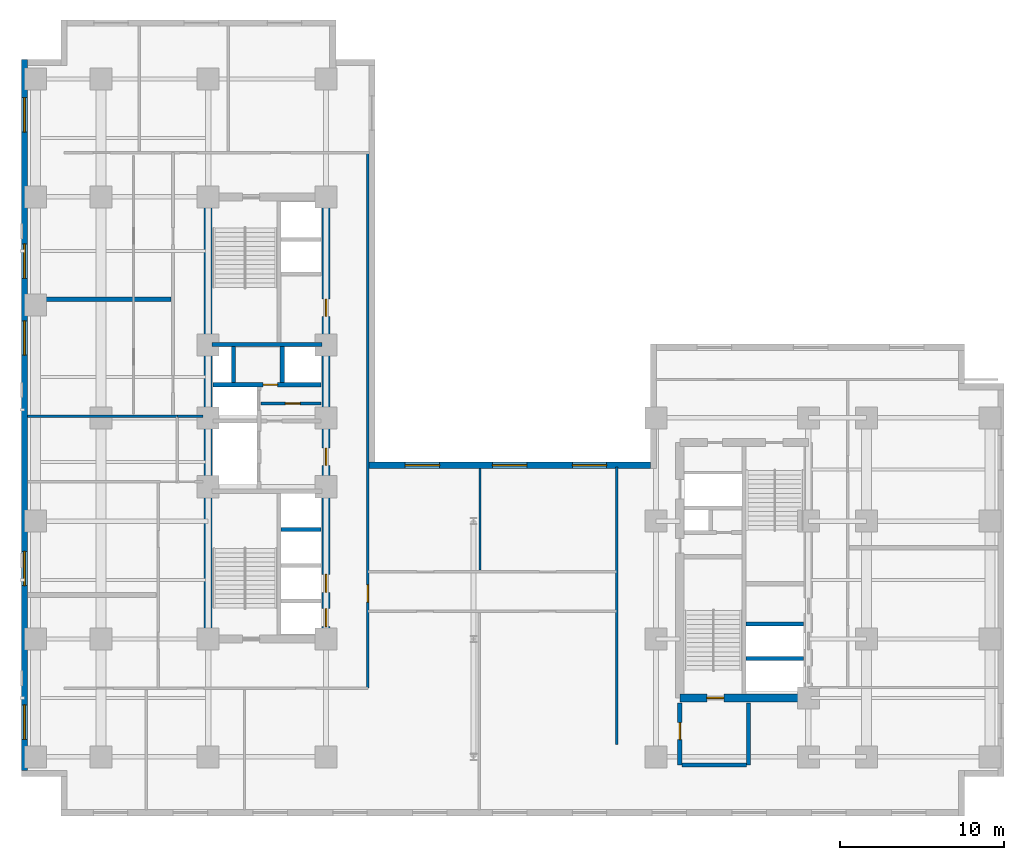
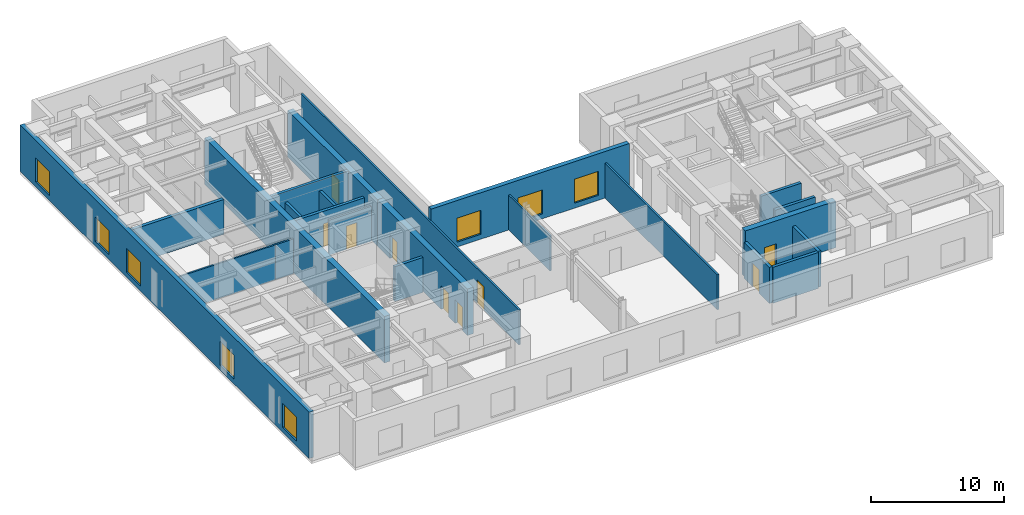
# One storey, part 4 of 9: 23 walls, 9 doors, 8 windows, 17 openings.
"""IFC4 building model written with IfcOpenShell, lengths in metres."""

from ifc_helpers import new_model, entity, si_unit, converted_unit, direction, frame, origin_with_axes, origin_2d_with_axis, place, context, subcontext, project, spatial, polyline, rectangle, outline, extrude, material, layer, layer_set, type_object, element, fill, save


model = new_model("IFC4")

# Units and contexts
model_context = context("Model", 3, precision=1e-05, world=origin_with_axes(), true_north=direction((0.0, 1.0)))
body_context = subcontext(model_context, "Body", "Model", "MODEL_VIEW")
ifc_project = project(units=[si_unit("LENGTHUNIT", "METRE"), si_unit("AREAUNIT", "SQUARE_METRE"), si_unit("VOLUMEUNIT", "CUBIC_METRE"), converted_unit("PLANEANGLEUNIT", "DEGREE", entity("IfcPlaneAngleMeasure", 0.017453292519943295), si_unit("PLANEANGLEUNIT", "RADIAN"), dimensions=[0, 0, 0, 0, 0, 0, 0]), si_unit("MASSUNIT", "GRAM", prefix="KILO"), si_unit("THERMODYNAMICTEMPERATUREUNIT", "KELVIN")], contexts=[model_context])

# Site, building, storey
site_placement = place(None, origin_with_axes())
site = spatial("IfcSite", under=ifc_project, at=site_placement, CompositionType="ELEMENT")
building_placement = place(site_placement, origin_with_axes())
building = spatial("IfcBuilding", under=site, at=building_placement, Name="Varnlund Millrace Tower", CompositionType="ELEMENT")
storey_placement = place(building_placement, frame((0.0, 0.0, 84.6), z_axis=(0.0, 0.0, 1.0), x_axis=(1.0, 0.0, 0.0)))
storey = spatial("IfcBuildingStorey", under=building, at=storey_placement, Name="L20", CompositionType="ELEMENT", Elevation=84.6)

# Wall
ifc_material_1 = material(Name="Concrete C70/85", Category="concrete")
ifc_layer_1 = layer(ifc_material_1, 0.5, Name="Concrete C70/85")
ifc_layer_set_1 = layer_set([ifc_layer_1], Name="Concrete C70/85")
wall_type_1 = type_object("IfcWallType", Name="Type-CoreWall-Shear-500-C70", PredefinedType="SHEAR", material=ifc_layer_set_1)
wall_1_placement = place(storey_placement, frame((11.4, 10.8, 0.0), z_axis=(0.0, 0.0, 1.0), x_axis=(0.0, 1.0, 0.0)))
element("IfcWall", 1, at=wall_1_placement, inside=storey, type_object=wall_type_1, Name="Type-CoreWall-Shear-500-C70", PredefinedType="SHEAR", context=body_context, shape_type="SweptSolid", body=[
    extrude(outline(polyline([(0.0, -0.25), (27.0, -0.25), (27.0, 0.25), (0.0, 0.25), (0.0, -0.25)])), origin_with_axes(), (0.0, 0.0, 1.0), 4.26),
])

# Wall, openings, doors
wall_2_placement = place(storey_placement, frame((18.6, 10.8, 0.0), z_axis=(0.0, 0.0, 1.0), x_axis=(0.0, 1.0, 0.0)))
wall_2 = element("IfcWall", 2, at=wall_2_placement, inside=storey, type_object=wall_type_1, Name="Type-CoreWall-Shear-500-C70", PredefinedType="SHEAR", context=body_context, shape_type="SweptSolid", body=[
    extrude(outline(polyline([(0.0, -0.25), (13.5, -0.25), (13.5, 0.25), (0.0, 0.25), (0.0, -0.25)])), origin_with_axes(), (0.0, 0.0, 1.0), 4.26),
])
opening_1_placement = place(wall_2_placement, frame((1.3, 0.0, 0.0), z_axis=(0.0, 0.0, 1.0), x_axis=(1.0, 0.0, 0.0)))
opening_1 = element("IfcOpeningElement", 3, at=opening_1_placement, cuts=wall_2, Name="Opening L20:LD-ELV-L1", PredefinedType="OPENING", context=body_context, shape_type="SweptSolid", body=[
    extrude(rectangle(XDim=1.1, YDim=0.52, at=origin_2d_with_axis()), origin_with_axes(), (0.0, 0.0, 1.0), 2.15),
])
opening_2_placement = place(wall_2_placement, frame((3.4, 0.0, 0.0), z_axis=(0.0, 0.0, 1.0), x_axis=(1.0, 0.0, 0.0)))
opening_2 = element("IfcOpeningElement", 4, at=opening_2_placement, cuts=wall_2, Name="Opening L20:LD-ELV-L2", PredefinedType="OPENING", context=body_context, shape_type="SweptSolid", body=[
    extrude(rectangle(XDim=1.1, YDim=0.52, at=origin_2d_with_axis()), origin_with_axes(), (0.0, 0.0, 1.0), 2.15),
])
opening_3_placement = place(wall_2_placement, frame((11.125, 0.0, 0.0), z_axis=(0.0, 0.0, 1.0), x_axis=(1.0, 0.0, 0.0)))
opening_3 = element("IfcOpeningElement", 5, at=opening_3_placement, cuts=wall_2, Name="Opening L20:DR-FFLOB-A", PredefinedType="OPENING", context=body_context, shape_type="SweptSolid", body=[
    extrude(rectangle(XDim=1.05, YDim=0.52, at=origin_2d_with_axis()), origin_with_axes(), (0.0, 0.0, 1.0), 2.15),
])
ifc_material_2 = material(Name="Smoke-barrier hollow steel fire door", Category="steel")
door_type_1 = type_object("IfcDoorType", Name="Type-FireDoor-Lobby-1050X2150", OperationType="NOTDEFINED", PredefinedType="DOOR", material=ifc_material_2)
door_1_placement = place(wall_2_placement, frame((11.125, 0.0, 0.0), z_axis=(0.0, 0.0, 1.0), x_axis=(1.0, 0.0, 0.0)))
door_1 = element("IfcDoor", 6, at=door_1_placement, inside=storey, type_object=door_type_1, Name="Type-FireDoor-Lobby-1050X2150", OperationType="SINGLE_SWING_LEFT", OverallHeight=2.15, OverallWidth=1.05, PredefinedType="DOOR", context=body_context, shape_type="SweptSolid", body=[
    extrude(rectangle(XDim=1.05, YDim=0.09, at=origin_2d_with_axis()), origin_with_axes(), (0.0, 0.0, 1.0), 2.15),
])
fill(opening_3, door_1)
ifc_material_3 = material(Name="Stainless and architectural bronze sliding landing door")
door_type_2 = type_object("IfcDoorType", Name="Type-LiftLandingDoor-1100X2150", OperationType="NOTDEFINED", PredefinedType="DOOR", material=ifc_material_3)
door_2_placement = place(wall_2_placement, frame((1.3, 0.0, 0.0), z_axis=(0.0, 0.0, 1.0), x_axis=(1.0, 0.0, 0.0)))
door_2 = element("IfcDoor", 7, at=door_2_placement, inside=storey, type_object=door_type_2, Name="Type-LiftLandingDoor-1100X2150", OperationType="SLIDING_TO_LEFT", OverallHeight=2.15, OverallWidth=1.1, PredefinedType="DOOR", context=body_context, shape_type="SweptSolid", body=[
    extrude(rectangle(XDim=1.1, YDim=0.09, at=origin_2d_with_axis()), origin_with_axes(), (0.0, 0.0, 1.0), 2.15),
])
fill(opening_1, door_2)
door_3_placement = place(wall_2_placement, frame((3.4, 0.0, 0.0), z_axis=(0.0, 0.0, 1.0), x_axis=(1.0, 0.0, 0.0)))
door_3 = element("IfcDoor", 8, at=door_3_placement, inside=storey, type_object=door_type_2, Name="Type-LiftLandingDoor-1100X2150", OperationType="SLIDING_TO_RIGHT", OverallHeight=2.15, OverallWidth=1.1, PredefinedType="DOOR", context=body_context, shape_type="SweptSolid", body=[
    extrude(rectangle(XDim=1.1, YDim=0.09, at=origin_2d_with_axis()), origin_with_axes(), (0.0, 0.0, 1.0), 2.15),
])
fill(opening_2, door_3)

# Wall, opening, door
wall_3_placement = place(storey_placement, frame((18.6, 24.3, 0.0), z_axis=(0.0, 0.0, 1.0), x_axis=(0.0, 1.0, 0.0)))
wall_3 = element("IfcWall", 9, at=wall_3_placement, inside=storey, type_object=wall_type_1, Name="Type-CoreWall-Shear-500-C70", PredefinedType="SHEAR", context=body_context, shape_type="SweptSolid", body=[
    extrude(outline(polyline([(0.0, -0.25), (13.5, -0.25), (13.5, 0.25), (0.0, 0.25), (0.0, -0.25)])), origin_with_axes(), (0.0, 0.0, 1.0), 4.26),
])
opening_4_placement = place(wall_3_placement, frame((6.725, 0.0, 0.0), z_axis=(0.0, 0.0, 1.0), x_axis=(1.0, 0.0, 0.0)))
opening_4 = element("IfcOpeningElement", 10, at=opening_4_placement, cuts=wall_3, Name="Opening L20:DR-CA-WC1", PredefinedType="OPENING", context=body_context, shape_type="SweptSolid", body=[
    extrude(rectangle(XDim=1.05, YDim=0.52, at=origin_2d_with_axis()), origin_with_axes(), (0.0, 0.0, 1.0), 2.15),
])
door_4_placement = place(wall_3_placement, frame((6.725, 0.0, 0.0), z_axis=(0.0, 0.0, 1.0), x_axis=(1.0, 0.0, 0.0)))
door_4 = element("IfcDoor", 11, at=door_4_placement, inside=storey, type_object=door_type_1, Name="Type-FireDoor-Lobby-1050X2150", OperationType="SINGLE_SWING_LEFT", OverallHeight=2.15, OverallWidth=1.05, PredefinedType="DOOR", context=body_context, shape_type="SweptSolid", body=[
    extrude(rectangle(XDim=1.05, YDim=0.09, at=origin_2d_with_axis()), origin_with_axes(), (0.0, 0.0, 1.0), 2.15),
])
fill(opening_4, door_4)

wall_4_placement = place(storey_placement, frame((40.2, 7.2, 0.0), z_axis=(0.0, 0.0, 1.0), x_axis=(1.0, 0.0, 0.0)))
wall_4 = element("IfcWall", 12, at=wall_4_placement, inside=storey, type_object=wall_type_1, Name="Type-CoreWall-Shear-500-C70", PredefinedType="SHEAR", context=body_context, shape_type="SweptSolid", body=[
    extrude(outline(polyline([(0.0, -0.25), (7.85, -0.25), (7.85, 0.25), (0.0, 0.25), (0.0, -0.25)])), origin_with_axes(), (0.0, 0.0, 1.0), 4.26),
])
opening_5_placement = place(wall_4_placement, frame((2.175, 0.0, 0.0), z_axis=(0.0, 0.0, 1.0), x_axis=(1.0, 0.0, 0.0)))
opening_5 = element("IfcOpeningElement", 13, at=opening_5_placement, cuts=wall_4, Name="Opening L20:DR-STB1", PredefinedType="OPENING", context=body_context, shape_type="SweptSolid", body=[
    extrude(rectangle(XDim=1.05, YDim=0.52, at=origin_2d_with_axis()), origin_with_axes(), (0.0, 0.0, 1.0), 2.15),
])
ifc_material_4 = material(Name="Fire-rated hollow steel door", Category="steel")
door_type_3 = type_object("IfcDoorType", Name="Type-FireDoor-Stair-1050X2150", OperationType="NOTDEFINED", PredefinedType="DOOR", material=ifc_material_4)
door_5_placement = place(wall_4_placement, frame((2.175, 0.0, 0.0), z_axis=(0.0, 0.0, 1.0), x_axis=(1.0, 0.0, 0.0)))
door_5 = element("IfcDoor", 14, at=door_5_placement, inside=storey, type_object=door_type_3, Name="Type-FireDoor-Stair-1050X2150", OperationType="SINGLE_SWING_LEFT", OverallHeight=2.15, OverallWidth=1.05, PredefinedType="DOOR", context=body_context, shape_type="SweptSolid", body=[
    extrude(rectangle(XDim=1.05, YDim=0.09, at=origin_2d_with_axis()), origin_with_axes(), (0.0, 0.0, 1.0), 2.15),
])
fill(opening_5, door_5)

# Wall, openings, windows
ifc_material_5 = material(Name="Precast concrete C50/60", Category="concrete")
ifc_layer_2 = layer(ifc_material_5, 0.38, Name="Precast concrete C50/60")
ifc_layer_set_2 = layer_set([ifc_layer_2], Name="Precast concrete C50/60")
wall_type_2 = type_object("IfcWallType", Name="Type-ExtWall-Precast-Tube-380", PredefinedType="SOLIDWALL", material=ifc_layer_set_2)
wall_5_placement = place(storey_placement, frame((0.19, 2.78, 0.0), z_axis=(0.0, 0.0, 1.0), x_axis=(0.0, 1.0, 0.0)))
wall_5 = element("IfcWall", 15, at=wall_5_placement, inside=storey, type_object=wall_type_2, Name="Type-ExtWall-Precast-Tube-380", PredefinedType="SOLIDWALL", context=body_context, shape_type="SweptSolid", body=[
    extrude(outline(polyline([(0.0, -0.19), (43.42, -0.19), (43.42, 0.19), (0.0, 0.19), (0.0, -0.19)])), origin_with_axes(), (0.0, 0.0, 1.0), 4.26),
])
opening_6_placement = place(wall_5_placement, frame((2.946, 0.0, 0.45), z_axis=(0.0, 0.0, 1.0), x_axis=(1.0, 0.0, 0.0)))
opening_6 = element("IfcOpeningElement", 16, at=opening_6_placement, cuts=wall_5, Name="Opening L20:WN-17", PredefinedType="OPENING", context=body_context, shape_type="SweptSolid", body=[
    extrude(rectangle(XDim=2.1, YDim=0.4, at=origin_2d_with_axis()), origin_with_axes(), (0.0, 0.0, 1.0), 2.2),
])
opening_7_placement = place(wall_5_placement, frame((12.328, 0.0, 0.45), z_axis=(0.0, 0.0, 1.0), x_axis=(1.0, 0.0, 0.0)))
opening_7 = element("IfcOpeningElement", 17, at=opening_7_placement, cuts=wall_5, Name="Opening L20:WN-18", PredefinedType="OPENING", context=body_context, shape_type="SweptSolid", body=[
    extrude(rectangle(XDim=2.1, YDim=0.4, at=origin_2d_with_axis()), origin_with_axes(), (0.0, 0.0, 1.0), 2.2),
])
opening_8_placement = place(wall_5_placement, frame((26.401, 0.0, 0.45), z_axis=(0.0, 0.0, 1.0), x_axis=(1.0, 0.0, 0.0)))
opening_8 = element("IfcOpeningElement", 18, at=opening_8_placement, cuts=wall_5, Name="Opening L20:WN-19", PredefinedType="OPENING", context=body_context, shape_type="SweptSolid", body=[
    extrude(rectangle(XDim=2.1, YDim=0.4, at=origin_2d_with_axis()), origin_with_axes(), (0.0, 0.0, 1.0), 2.2),
])
opening_9_placement = place(wall_5_placement, frame((31.092, 0.0, 0.45), z_axis=(0.0, 0.0, 1.0), x_axis=(1.0, 0.0, 0.0)))
opening_9 = element("IfcOpeningElement", 19, at=opening_9_placement, cuts=wall_5, Name="Opening L20:WN-20", PredefinedType="OPENING", context=body_context, shape_type="SweptSolid", body=[
    extrude(rectangle(XDim=2.1, YDim=0.4, at=origin_2d_with_axis()), origin_with_axes(), (0.0, 0.0, 1.0), 2.2),
])
opening_10_placement = place(wall_5_placement, frame((40.024, 0.0, 0.45), z_axis=(0.0, 0.0, 1.0), x_axis=(1.0, 0.0, 0.0)))
opening_10 = element("IfcOpeningElement", 20, at=opening_10_placement, cuts=wall_5, Name="Opening L20:WN-21", PredefinedType="OPENING", context=body_context, shape_type="SweptSolid", body=[
    extrude(rectangle(XDim=2.1, YDim=0.4, at=origin_2d_with_axis()), origin_with_axes(), (0.0, 0.0, 1.0), 2.2),
])
ifc_material_6 = material(Name="Argon low-e triple glazing in thermally broken bronze frame", Category="glass")
window_type = type_object("IfcWindowType", Name="Type-Window-Punched-2100X2200", PartitioningType="SINGLE_PANEL", PredefinedType="WINDOW", material=ifc_material_6)
window_1_placement = place(wall_5_placement, frame((2.946, 0.0, 0.45), z_axis=(0.0, 0.0, 1.0), x_axis=(1.0, 0.0, 0.0)))
window_1 = element("IfcWindow", 21, at=window_1_placement, inside=storey, type_object=window_type, Name="Type-Window-Punched-2100X2200", OverallHeight=2.2, OverallWidth=2.1, PredefinedType="WINDOW", context=body_context, shape_type="SweptSolid", body=[
    extrude(rectangle(XDim=2.1, YDim=0.09, at=origin_2d_with_axis()), origin_with_axes(), (0.0, 0.0, 1.0), 2.2),
])
fill(opening_6, window_1)
window_2_placement = place(wall_5_placement, frame((12.328, 0.0, 0.45), z_axis=(0.0, 0.0, 1.0), x_axis=(1.0, 0.0, 0.0)))
window_2 = element("IfcWindow", 22, at=window_2_placement, inside=storey, type_object=window_type, Name="Type-Window-Punched-2100X2200", OverallHeight=2.2, OverallWidth=2.1, PredefinedType="WINDOW", context=body_context, shape_type="SweptSolid", body=[
    extrude(rectangle(XDim=2.1, YDim=0.09, at=origin_2d_with_axis()), origin_with_axes(), (0.0, 0.0, 1.0), 2.2),
])
fill(opening_7, window_2)
window_3_placement = place(wall_5_placement, frame((26.401, 0.0, 0.45), z_axis=(0.0, 0.0, 1.0), x_axis=(1.0, 0.0, 0.0)))
window_3 = element("IfcWindow", 23, at=window_3_placement, inside=storey, type_object=window_type, Name="Type-Window-Punched-2100X2200", OverallHeight=2.2, OverallWidth=2.1, PredefinedType="WINDOW", context=body_context, shape_type="SweptSolid", body=[
    extrude(rectangle(XDim=2.1, YDim=0.09, at=origin_2d_with_axis()), origin_with_axes(), (0.0, 0.0, 1.0), 2.2),
])
fill(opening_8, window_3)
window_4_placement = place(wall_5_placement, frame((31.092, 0.0, 0.45), z_axis=(0.0, 0.0, 1.0), x_axis=(1.0, 0.0, 0.0)))
window_4 = element("IfcWindow", 24, at=window_4_placement, inside=storey, type_object=window_type, Name="Type-Window-Punched-2100X2200", OverallHeight=2.2, OverallWidth=2.1, PredefinedType="WINDOW", context=body_context, shape_type="SweptSolid", body=[
    extrude(rectangle(XDim=2.1, YDim=0.09, at=origin_2d_with_axis()), origin_with_axes(), (0.0, 0.0, 1.0), 2.2),
])
fill(opening_9, window_4)
window_5_placement = place(wall_5_placement, frame((40.024, 0.0, 0.45), z_axis=(0.0, 0.0, 1.0), x_axis=(1.0, 0.0, 0.0)))
window_5 = element("IfcWindow", 25, at=window_5_placement, inside=storey, type_object=window_type, Name="Type-Window-Punched-2100X2200", OverallHeight=2.2, OverallWidth=2.1, PredefinedType="WINDOW", context=body_context, shape_type="SweptSolid", body=[
    extrude(rectangle(XDim=2.1, YDim=0.09, at=origin_2d_with_axis()), origin_with_axes(), (0.0, 0.0, 1.0), 2.2),
])
fill(opening_10, window_5)

wall_6_placement = place(storey_placement, frame((21.22, 21.41, 0.0), z_axis=(0.0, 0.0, 1.0), x_axis=(1.0, 0.0, 0.0)))
wall_6 = element("IfcWall", 26, at=wall_6_placement, inside=storey, type_object=wall_type_2, Name="Type-ExtWall-Precast-Tube-380", PredefinedType="SOLIDWALL", context=body_context, shape_type="SweptSolid", body=[
    extrude(outline(polyline([(0.0, -0.19), (17.18, -0.19), (17.18, 0.19), (0.0, 0.19), (0.0, -0.19)])), origin_with_axes(), (0.0, 0.0, 1.0), 4.26),
])
opening_11_placement = place(wall_6_placement, frame((3.263, 0.0, 0.45), z_axis=(0.0, 0.0, 1.0), x_axis=(1.0, 0.0, 0.0)))
opening_11 = element("IfcOpeningElement", 27, at=opening_11_placement, cuts=wall_6, Name="Opening L20:WN-26", PredefinedType="OPENING", context=body_context, shape_type="SweptSolid", body=[
    extrude(rectangle(XDim=2.1, YDim=0.4, at=origin_2d_with_axis()), origin_with_axes(), (0.0, 0.0, 1.0), 2.2),
])
opening_12_placement = place(wall_6_placement, frame((8.59, 0.0, 0.45), z_axis=(0.0, 0.0, 1.0), x_axis=(1.0, 0.0, 0.0)))
opening_12 = element("IfcOpeningElement", 28, at=opening_12_placement, cuts=wall_6, Name="Opening L20:WN-27", PredefinedType="OPENING", context=body_context, shape_type="SweptSolid", body=[
    extrude(rectangle(XDim=2.1, YDim=0.4, at=origin_2d_with_axis()), origin_with_axes(), (0.0, 0.0, 1.0), 2.2),
])
opening_13_placement = place(wall_6_placement, frame((13.467, 0.0, 0.45), z_axis=(0.0, 0.0, 1.0), x_axis=(1.0, 0.0, 0.0)))
opening_13 = element("IfcOpeningElement", 29, at=opening_13_placement, cuts=wall_6, Name="Opening L20:WN-28", PredefinedType="OPENING", context=body_context, shape_type="SweptSolid", body=[
    extrude(rectangle(XDim=2.1, YDim=0.4, at=origin_2d_with_axis()), origin_with_axes(), (0.0, 0.0, 1.0), 2.2),
])
window_6_placement = place(wall_6_placement, frame((3.263, 0.0, 0.45), z_axis=(0.0, 0.0, 1.0), x_axis=(1.0, 0.0, 0.0)))
window_6 = element("IfcWindow", 30, at=window_6_placement, inside=storey, type_object=window_type, Name="Type-Window-Punched-2100X2200", OverallHeight=2.2, OverallWidth=2.1, PredefinedType="WINDOW", context=body_context, shape_type="SweptSolid", body=[
    extrude(rectangle(XDim=2.1, YDim=0.09, at=origin_2d_with_axis()), origin_with_axes(), (0.0, 0.0, 1.0), 2.2),
])
fill(opening_11, window_6)
window_7_placement = place(wall_6_placement, frame((8.59, 0.0, 0.45), z_axis=(0.0, 0.0, 1.0), x_axis=(1.0, 0.0, 0.0)))
window_7 = element("IfcWindow", 31, at=window_7_placement, inside=storey, type_object=window_type, Name="Type-Window-Punched-2100X2200", OverallHeight=2.2, OverallWidth=2.1, PredefinedType="WINDOW", context=body_context, shape_type="SweptSolid", body=[
    extrude(rectangle(XDim=2.1, YDim=0.09, at=origin_2d_with_axis()), origin_with_axes(), (0.0, 0.0, 1.0), 2.2),
])
fill(opening_12, window_7)
window_8_placement = place(wall_6_placement, frame((13.467, 0.0, 0.45), z_axis=(0.0, 0.0, 1.0), x_axis=(1.0, 0.0, 0.0)))
window_8 = element("IfcWindow", 32, at=window_8_placement, inside=storey, type_object=window_type, Name="Type-Window-Punched-2100X2200", OverallHeight=2.2, OverallWidth=2.1, PredefinedType="WINDOW", context=body_context, shape_type="SweptSolid", body=[
    extrude(rectangle(XDim=2.1, YDim=0.09, at=origin_2d_with_axis()), origin_with_axes(), (0.0, 0.0, 1.0), 2.2),
])
fill(opening_13, window_8)

# Wall
ifc_material_7 = material(Name="Double-stud STC-60 conference acoustic partition", Category="gypsum")
ifc_layer_3 = layer(ifc_material_7, 0.28, Name="Double-stud STC-60 conference acoustic partition")
ifc_layer_set_3 = layer_set([ifc_layer_3], Name="Double-stud STC-60 conference acoustic partition")
wall_type_3 = type_object("IfcWallType", Name="Type-Partition-Acoustic-280", PredefinedType="PARTITIONING", material=ifc_layer_set_3)
wall_7_placement = place(storey_placement, frame((0.375, 31.552, 0.0), z_axis=(0.0, 0.0, 1.0), x_axis=(1.0, 0.0, 0.0)))
element("IfcWall", 33, at=wall_7_placement, inside=storey, type_object=wall_type_3, Name="Type-Partition-Acoustic-280", PredefinedType="PARTITIONING", context=body_context, shape_type="SweptSolid", body=[
    extrude(outline(polyline([(0.0, -0.14), (8.755, -0.14), (8.755, 0.14), (0.0, 0.14), (0.0, -0.14)])), origin_with_axes(), (0.0, 0.0, 1.0), 3.2),
])

# Wall, opening, door
ifc_material_8 = material(Name="Fire-rated gypsum board on cold-formed steel framing", Category="steel")
ifc_layer_4 = layer(ifc_material_8, 0.16, Name="Fire-rated gypsum board on cold-formed steel framing")
ifc_layer_set_4 = layer_set([ifc_layer_4], Name="Fire-rated gypsum board on cold-formed steel framing")
wall_type_4 = type_object("IfcWallType", Name="Type-Partition-Corridor-160", PredefinedType="PARTITIONING", material=ifc_layer_set_4)
wall_8_placement = place(storey_placement, frame((14.62, 25.18, 0.0), z_axis=(0.0, 0.0, 1.0), x_axis=(1.0, 0.0, 0.0)))
wall_8 = element("IfcWall", 34, at=wall_8_placement, inside=storey, type_object=wall_type_4, Name="Type-Partition-Corridor-160", PredefinedType="PARTITIONING", context=body_context, shape_type="SweptSolid", body=[
    extrude(outline(polyline([(0.0, -0.08), (3.68, -0.08), (3.68, 0.08), (0.0, 0.08), (0.0, -0.08)])), origin_with_axes(), (0.0, 0.0, 1.0), 3.2),
])
opening_14_placement = place(wall_8_placement, frame((1.95, 0.0, 0.0), z_axis=(0.0, 0.0, 1.0), x_axis=(1.0, 0.0, 0.0)))
opening_14 = element("IfcOpeningElement", 35, at=opening_14_placement, cuts=wall_8, Name="Opening L20:DR-CA-SUB2", PredefinedType="OPENING", context=body_context, shape_type="SweptSolid", body=[
    extrude(rectangle(XDim=0.9, YDim=0.18, at=origin_2d_with_axis()), origin_with_axes(), (0.0, 0.0, 1.0), 2.15),
])
ifc_material_9 = material(Name="Painted steel riser and closet door", Category="steel")
door_type_4 = type_object("IfcDoorType", Name="Type-IntDoor-Closet-900X2150", OperationType="NOTDEFINED", PredefinedType="DOOR", material=ifc_material_9)
door_6_placement = place(wall_8_placement, frame((1.95, 0.0, 0.0), z_axis=(0.0, 0.0, 1.0), x_axis=(1.0, 0.0, 0.0)))
door_6 = element("IfcDoor", 36, at=door_6_placement, inside=storey, type_object=door_type_4, Name="Type-IntDoor-Closet-900X2150", OperationType="SINGLE_SWING_LEFT", OverallHeight=2.15, OverallWidth=0.9, PredefinedType="DOOR", context=body_context, shape_type="SweptSolid", body=[
    extrude(rectangle(XDim=0.9, YDim=0.09, at=origin_2d_with_axis()), origin_with_axes(), (0.0, 0.0, 1.0), 2.15),
])
fill(opening_14, door_6)

wall_9_placement = place(storey_placement, frame((21.15, 7.8, 0.0), z_axis=(0.0, 0.0, 1.0), x_axis=(0.0, 1.0, 0.0)))
wall_9 = element("IfcWall", 37, at=wall_9_placement, inside=storey, type_object=wall_type_4, Name="Type-Partition-Corridor-160", PredefinedType="PARTITIONING", context=body_context, shape_type="SweptSolid", body=[
    extrude(outline(polyline([(0.0, -0.08), (32.7, -0.08), (32.7, 0.08), (0.0, 0.08), (0.0, -0.08)])), origin_with_axes(), (0.0, 0.0, 1.0), 3.2),
])
opening_15_placement = place(wall_9_placement, frame((5.775, 0.0, 0.0), z_axis=(0.0, 0.0, 1.0), x_axis=(1.0, 0.0, 0.0)))
opening_15 = element("IfcOpeningElement", 38, at=opening_15_placement, cuts=wall_9, Name="Opening L20:DR-KN-W", PredefinedType="OPENING", context=body_context, shape_type="SweptSolid", body=[
    extrude(rectangle(XDim=1.05, YDim=0.18, at=origin_2d_with_axis()), origin_with_axes(), (0.0, 0.0, 1.0), 2.15),
])
door_7_placement = place(wall_9_placement, frame((5.775, 0.0, 0.0), z_axis=(0.0, 0.0, 1.0), x_axis=(1.0, 0.0, 0.0)))
door_7 = element("IfcDoor", 39, at=door_7_placement, inside=storey, type_object=door_type_1, Name="Type-FireDoor-Lobby-1050X2150", OperationType="SINGLE_SWING_LEFT", OverallHeight=2.15, OverallWidth=1.05, PredefinedType="DOOR", context=body_context, shape_type="SweptSolid", body=[
    extrude(rectangle(XDim=1.05, YDim=0.09, at=origin_2d_with_axis()), origin_with_axes(), (0.0, 0.0, 1.0), 2.15),
])
fill(opening_15, door_7)

# Walls
wall_10_placement = place(storey_placement, frame((36.35, 4.35, 0.0), z_axis=(0.0, 0.0, 1.0), x_axis=(0.0, 1.0, 0.0)))
element("IfcWall", 40, at=wall_10_placement, inside=storey, type_object=wall_type_4, Name="Type-Partition-Corridor-160", PredefinedType="PARTITIONING", context=body_context, shape_type="SweptSolid", body=[
    extrude(outline(polyline([(0.0, -0.08), (16.95, -0.08), (16.95, 0.08), (0.0, 0.08), (0.0, -0.08)])), origin_with_axes(), (0.0, 0.0, 1.0), 3.2),
])
ifc_material_10 = material(Name="Acoustic STC-50 gypsum board partition", Category="gypsum")
ifc_layer_5 = layer(ifc_material_10, 0.15, Name="Acoustic STC-50 gypsum board partition")
ifc_layer_set_5 = layer_set([ifc_layer_5], Name="Acoustic STC-50 gypsum board partition")
wall_type_5 = type_object("IfcWallType", Name="Type-Partition-Demising-150", PredefinedType="PARTITIONING", material=ifc_layer_set_5)
wall_11_placement = place(storey_placement, frame((28.001, 15.02, 0.0), z_axis=(0.0, 0.0, 1.0), x_axis=(0.0, 1.0, 0.0)))
element("IfcWall", 41, at=wall_11_placement, inside=storey, type_object=wall_type_5, Name="Type-Partition-Demising-150", PredefinedType="PARTITIONING", context=body_context, shape_type="SweptSolid", body=[
    extrude(outline(polyline([(0.0, -0.075), (6.205, -0.075), (6.205, 0.075), (0.0, 0.075), (0.0, -0.075)])), origin_with_axes(), (0.0, 0.0, 1.0), 3.2),
])
ifc_material_11 = material(Name="Moisture-resistant gypsum restroom partition", Category="gypsum")
ifc_layer_6 = layer(ifc_material_11, 0.14, Name="Moisture-resistant gypsum restroom partition")
ifc_layer_set_6 = layer_set([ifc_layer_6], Name="Moisture-resistant gypsum restroom partition")
wall_type_6 = type_object("IfcWallType", Name="Type-Partition-Wet-140", PredefinedType="PARTITIONING", material=ifc_layer_set_6)
wall_12_placement = place(storey_placement, frame((9.52, 24.4, 0.0), z_axis=(0.0, 0.0, 1.0), x_axis=(1.0, 0.0, 0.0)))
element("IfcWall", 42, at=wall_12_placement, inside=storey, type_object=wall_type_6, Name="Type-Partition-Wet-140", PredefinedType="PARTITIONING", context=body_context, shape_type="SweptSolid", body=[
    extrude(outline(polyline([(0.0, -0.07), (1.58, -0.07), (1.58, 0.07), (0.0, 0.07), (0.0, -0.07)])), origin_with_axes(), (0.0, 0.0, 1.0), 3.2),
])
wall_13_placement = place(storey_placement, frame((0.36, 24.4, 0.0), z_axis=(0.0, 0.0, 1.0), x_axis=(1.0, 0.0, 0.0)))
element("IfcWall", 43, at=wall_13_placement, inside=storey, type_object=wall_type_6, Name="Type-Partition-Wet-140", PredefinedType="PARTITIONING", context=body_context, shape_type="SweptSolid", body=[
    extrude(outline(polyline([(0.0, -0.07), (9.16, -0.07), (9.16, 0.07), (0.0, 0.07), (0.0, -0.07)])), origin_with_axes(), (0.0, 0.0, 1.0), 3.2),
])

# Wall, opening, door
ifc_material_12 = material(Name="Concrete C60/75", Category="concrete")
ifc_layer_7 = layer(ifc_material_12, 0.25, Name="Concrete C60/75")
ifc_layer_set_7 = layer_set([ifc_layer_7], Name="Concrete C60/75")
wall_type_7 = type_object("IfcWallType", Name="Type-ShaftWall-Fire-250", PredefinedType="SOLIDWALL", material=ifc_layer_set_7)
wall_14_placement = place(storey_placement, frame((11.7, 26.325, 0.0), z_axis=(0.0, 0.0, 1.0), x_axis=(1.0, 0.0, 0.0)))
wall_14 = element("IfcWall", 44, at=wall_14_placement, inside=storey, type_object=wall_type_7, Name="Type-ShaftWall-Fire-250", PredefinedType="SOLIDWALL", context=body_context, shape_type="SweptSolid", body=[
    extrude(outline(polyline([(0.0, -0.125), (6.6, -0.125), (6.6, 0.125), (0.0, 0.125), (0.0, -0.125)])), origin_with_axes(), (0.0, 0.0, 1.0), 3.3),
])
opening_16_placement = place(wall_14_placement, frame((3.5, 0.0, 0.0), z_axis=(0.0, 0.0, 1.0), x_axis=(1.0, 0.0, 0.0)))
opening_16 = element("IfcOpeningElement", 45, at=opening_16_placement, cuts=wall_14, Name="Opening L20:DR-CA-ELC", PredefinedType="OPENING", context=body_context, shape_type="SweptSolid", body=[
    extrude(rectangle(XDim=0.9, YDim=0.27, at=origin_2d_with_axis()), origin_with_axes(), (0.0, 0.0, 1.0), 2.15),
])
ifc_material_13 = material(Name="Fire-rated hollow steel service closet door", Category="steel")
door_type_5 = type_object("IfcDoorType", Name="Type-FireDoor-Closet-900X2150", OperationType="NOTDEFINED", PredefinedType="DOOR", material=ifc_material_13)
door_8_placement = place(wall_14_placement, frame((3.5, 0.0, 0.0), z_axis=(0.0, 0.0, 1.0), x_axis=(1.0, 0.0, 0.0)))
door_8 = element("IfcDoor", 46, at=door_8_placement, inside=storey, type_object=door_type_5, Name="Type-FireDoor-Closet-900X2150", OperationType="SINGLE_SWING_LEFT", OverallHeight=2.15, OverallWidth=0.9, PredefinedType="DOOR", context=body_context, shape_type="SweptSolid", body=[
    extrude(rectangle(XDim=0.9, YDim=0.09, at=origin_2d_with_axis()), origin_with_axes(), (0.0, 0.0, 1.0), 2.15),
])
fill(opening_16, door_8)

# Walls
for number, where, z_axis, x_axis, name in (
    (47, (12.96, 26.45, 0.0), (0.0, 0.0, 1.0), (0.0, 1.0, 0.0), "Type-ShaftWall-Fire-250"),
    (48, (15.925, 26.45, 0.0), (0.0, 0.0, 1.0), (0.0, 1.0, 0.0), "Type-ShaftWall-Fire-250"),
):
    element("IfcWall", number, at=place(storey_placement, frame(where, z_axis=z_axis, x_axis=x_axis)), inside=storey, type_object=wall_type_7, Name=name, PredefinedType="SOLIDWALL", context=body_context, shape_type="SweptSolid", body=[
        extrude(outline(polyline([(0.0, -0.125), (2.2, -0.125), (2.2, 0.125), (0.0, 0.125), (0.0, -0.125)])), origin_with_axes(), (0.0, 0.0, 1.0), 3.3),
    ])

# Wall, opening, door
wall_15_placement = place(storey_placement, frame((40.2, 3.1, 0.0), z_axis=(0.0, 0.0, 1.0), x_axis=(0.0, 1.0, 0.0)))
wall_15 = element("IfcWall", 49, at=wall_15_placement, inside=storey, type_object=wall_type_7, Name="Type-ShaftWall-Fire-250", PredefinedType="SOLIDWALL", context=body_context, shape_type="SweptSolid", body=[
    extrude(outline(polyline([(0.0, -0.125), (3.8, -0.125), (3.8, 0.125), (0.0, 0.125), (0.0, -0.125)])), origin_with_axes(), (0.0, 0.0, 1.0), 3.3),
])
opening_17_placement = place(wall_15_placement, frame((2.075, 0.0, 0.0), z_axis=(0.0, 0.0, 1.0), x_axis=(1.0, 0.0, 0.0)))
opening_17 = element("IfcOpeningElement", 50, at=opening_17_placement, cuts=wall_15, Name="Opening L20:DR-FFLOB-B", PredefinedType="OPENING", context=body_context, shape_type="SweptSolid", body=[
    extrude(rectangle(XDim=1.05, YDim=0.27, at=origin_2d_with_axis()), origin_with_axes(), (0.0, 0.0, 1.0), 2.15),
])
door_9_placement = place(wall_15_placement, frame((2.075, 0.0, 0.0), z_axis=(0.0, 0.0, 1.0), x_axis=(1.0, 0.0, 0.0)))
door_9 = element("IfcDoor", 51, at=door_9_placement, inside=storey, type_object=door_type_1, Name="Type-FireDoor-Lobby-1050X2150", OperationType="SINGLE_SWING_LEFT", OverallHeight=2.15, OverallWidth=1.05, PredefinedType="DOOR", context=body_context, shape_type="SweptSolid", body=[
    extrude(rectangle(XDim=1.05, YDim=0.09, at=origin_2d_with_axis()), origin_with_axes(), (0.0, 0.0, 1.0), 2.15),
])
fill(opening_17, door_9)

# Walls
wall_16_placement = place(storey_placement, frame((40.325, 3.1, 0.0), z_axis=(0.0, 0.0, 1.0), x_axis=(1.0, 0.0, 0.0)))
element("IfcWall", 52, at=wall_16_placement, inside=storey, type_object=wall_type_7, Name="Type-ShaftWall-Fire-250", PredefinedType="SOLIDWALL", context=body_context, shape_type="SweptSolid", body=[
    extrude(outline(polyline([(0.0, -0.125), (3.95, -0.125), (3.95, 0.125), (0.0, 0.125), (0.0, -0.125)])), origin_with_axes(), (0.0, 0.0, 1.0), 3.3),
])
wall_17_placement = place(storey_placement, frame((44.4, 3.1, 0.0), z_axis=(0.0, 0.0, 1.0), x_axis=(0.0, 1.0, 0.0)))
element("IfcWall", 53, at=wall_17_placement, inside=storey, type_object=wall_type_7, Name="Type-ShaftWall-Fire-250", PredefinedType="SOLIDWALL", context=body_context, shape_type="SweptSolid", body=[
    extrude(outline(polyline([(0.0, -0.125), (3.8, -0.125), (3.8, 0.125), (0.0, 0.125), (0.0, -0.125)])), origin_with_axes(), (0.0, 0.0, 1.0), 3.3),
])
wall_18_placement = place(storey_placement, frame((15.84, 17.49, 0.0), z_axis=(0.0, 0.0, 1.0), x_axis=(1.0, 0.0, 0.0)))
element("IfcWall", 54, at=wall_18_placement, inside=storey, type_object=wall_type_7, Name="Type-ShaftWall-Fire-250", PredefinedType="SOLIDWALL", context=body_context, shape_type="SweptSolid", body=[
    extrude(outline(polyline([(0.0, -0.125), (2.46, -0.125), (2.46, 0.125), (0.0, 0.125), (0.0, -0.125)])), origin_with_axes(), (0.0, 0.0, 1.0), 3.2),
])
for number, where, z_axis, x_axis, name in (
    (55, (44.25, 9.62, 0.0), (0.0, 0.0, 1.0), (1.0, 0.0, 0.0), "Type-ShaftWall-Fire-250"),
    (56, (44.25, 11.72, 0.0), (0.0, 0.0, 1.0), (1.0, 0.0, 0.0), "Type-ShaftWall-Fire-250"),
):
    element("IfcWall", number, at=place(storey_placement, frame(where, z_axis=z_axis, x_axis=x_axis)), inside=storey, type_object=wall_type_7, Name=name, PredefinedType="SOLIDWALL", context=body_context, shape_type="SweptSolid", body=[
        extrude(outline(polyline([(0.0, -0.125), (3.5, -0.125), (3.5, 0.125), (0.0, 0.125), (0.0, -0.125)])), origin_with_axes(), (0.0, 0.0, 1.0), 3.2),
    ])
wall_type_8 = type_object("IfcWallType", Name="Type-StairWall-Shear-250", PredefinedType="SHEAR", material=ifc_layer_set_7)
wall_19_placement = place(storey_placement, frame((11.65, 28.775, 0.0), z_axis=(0.0, 0.0, 1.0), x_axis=(1.0, 0.0, 0.0)))
element("IfcWall", 57, at=wall_19_placement, inside=storey, type_object=wall_type_8, Name="Type-StairWall-Shear-250", PredefinedType="SHEAR", context=body_context, shape_type="SweptSolid", body=[
    extrude(outline(polyline([(0.0, -0.125), (6.7, -0.125), (6.7, 0.125), (0.0, 0.125), (0.0, -0.125)])), origin_with_axes(), (0.0, 0.0, 1.0), 4.26),
])

save(model, "model.ifc")
